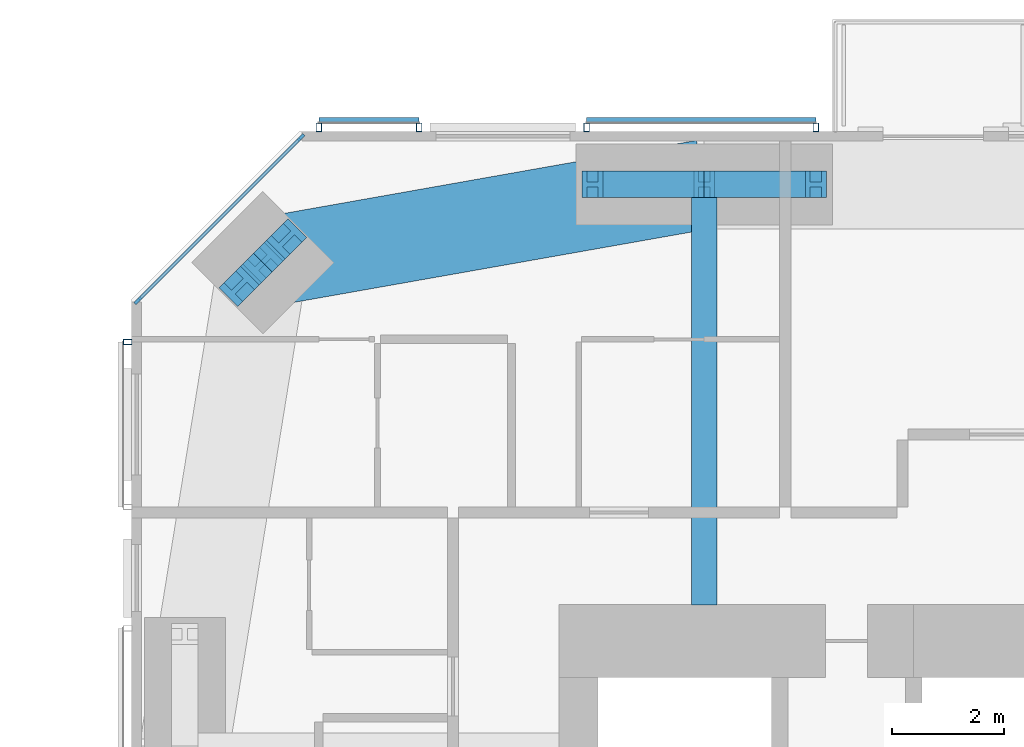
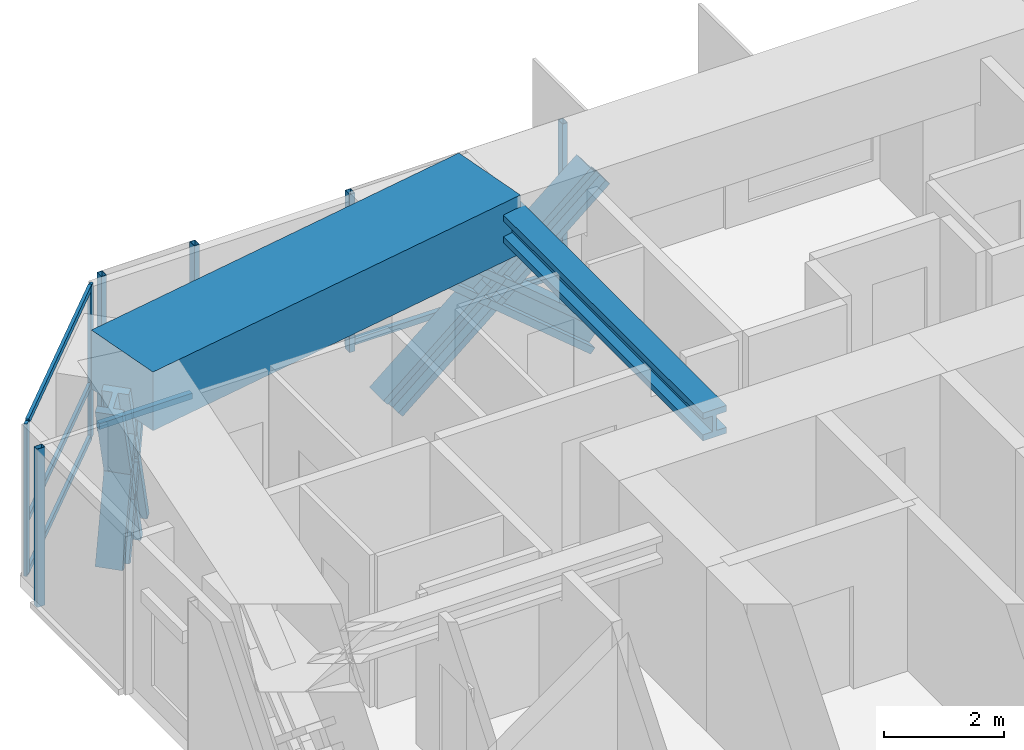
# One storey, part 10 of 23: 20 members, 2 beams, 4 elements without a shape of their own.
"""IFC4 building model written with IfcOpenShell, lengths in metres."""

from ifc_helpers import new_model, si_unit, direction, frame, origin, origin_2d, place, context, subcontext, project, spatial, rectangle, hollow_rectangle, i_section, extrude, material, material_profile, profile_set, type_object, element, aggregate, save


model = new_model("IFC4")

# Units and contexts
model_context = context("Model", 3, precision=1e-05, world=origin(), true_north=direction((0.0, 1.0)))
body_context = subcontext(model_context, "Body", "Model", "MODEL_VIEW")
ifc_project = project(units=[si_unit("LENGTHUNIT", "METRE"), si_unit("AREAUNIT", "SQUARE_METRE"), si_unit("VOLUMEUNIT", "CUBIC_METRE"), si_unit("PLANEANGLEUNIT", "RADIAN"), si_unit("MASSUNIT", "GRAM", prefix="KILO")], contexts=[model_context])

# Site, building, storey
site_placement = place(None, origin())
site = spatial("IfcSite", under=ifc_project, at=site_placement, CompositionType="ELEMENT")
building_placement = place(site_placement, origin())
building = spatial("IfcBuilding", under=site, at=building_placement, Name="Jalousie Tower", CompositionType="ELEMENT")
storey_placement = place(building_placement, frame((0.0, 0.0, 171.10009765625)))
storey = spatial("IfcBuildingStorey", under=building, at=storey_placement, Name="L46", CompositionType="ELEMENT", Elevation=171.10009765625)

# Curtain wall, members
ifc_material_1 = material(Name="Aluminium curtain wall", Category="aluminium")
curtain_wall_type_1 = type_object("IfcCurtainWallType", Name="CORNER WINDOW WALL", PredefinedType="USERDEFINED", material=ifc_material_1)
curtain_wall_1_placement = place(storey_placement, origin())
curtain_wall_1 = element("IfcCurtainWall", 1, at=curtain_wall_1_placement, inside=storey, type_object=curtain_wall_type_1, Name="Corner Window Wall L46 6", ObjectType="CORNER WINDOW WALL", PredefinedType="USERDEFINED")
ifc_material_2 = material(Name="Aluminium mullion", Category="aluminium")
ifc_material_profile_1 = material_profile(ifc_material_2, rectangle(XDim=0.06005859375, YDim=0.14990234375, at=origin_2d()), Name="MULLION 60x150")
ifc_profile_set_1 = profile_set([ifc_material_profile_1], Name="Aluminium mullion")
member_type_1 = type_object("IfcMemberType", Name="CORNER WINDOW WALL MULLION", PredefinedType="MULLION", material=ifc_profile_set_1)
member_1_placement = place(storey_placement, frame((15.030029296875, 35.891357421875, 0.0), z_axis=(0.0, 0.0, 1.0), x_axis=(0.707106781187, -0.707106781187, 0.0)))
member_1 = element("IfcMember", 2, at=member_1_placement, type_object=member_type_1, Name="CW-C mullion 1", PredefinedType="MULLION", context=body_context, shape_type="SweptSolid", body=[
    extrude(rectangle(XDim=0.06005859375, YDim=0.14990234375, at=origin_2d()), origin(), (0.0, 0.0, 1.0), 3.10986328125),
])
member_2_placement = place(storey_placement, frame((12.108642578125, 32.969970703125, 0.0), z_axis=(0.0, 0.0, 1.0), x_axis=(0.707106781187, -0.707106781187, 0.0)))
member_2 = element("IfcMember", 3, at=member_2_placement, type_object=member_type_1, Name="CW-C mullion 2", PredefinedType="MULLION", context=body_context, shape_type="SweptSolid", body=[
    extrude(rectangle(XDim=0.06005859375, YDim=0.14990234375, at=origin_2d()), origin(), (0.0, 0.0, 1.0), 3.10986328125),
])
ifc_material_3 = material(Name="Aluminium transom", Category="aluminium")
ifc_material_profile_2 = material_profile(ifc_material_3, rectangle(XDim=0.06005859375, YDim=0.1201171875, at=origin_2d()), Name="TRANSOM 60x120")
ifc_profile_set_2 = profile_set([ifc_material_profile_2], Name="Aluminium transom")
member_type_2 = type_object("IfcMemberType", Name="CORNER WINDOW WALL TRANSOM", PredefinedType="USERDEFINED", material=ifc_profile_set_2)
member_3_placement = place(storey_placement, frame((15.0087890625, 35.8701171875, 0.02978515625), z_axis=(-0.707106781187, -0.707106781187, 0.0), x_axis=(0.707106781187, -0.707106781187, 0.0)))
member_3 = element("IfcMember", 4, at=member_3_placement, type_object=member_type_2, Name="CW-C transom 1.1", ObjectType="TRANSOM", PredefinedType="USERDEFINED", context=body_context, shape_type="SweptSolid", body=[
    extrude(rectangle(XDim=0.06005859375, YDim=0.1201171875, at=origin_2d()), origin(), (0.0, 0.0, 1.0), 4.0712890625),
])
member_4_placement = place(storey_placement, frame((15.0087890625, 35.8701171875, 1.099853515625), z_axis=(-0.707106781187, -0.707106781187, 0.0), x_axis=(0.707106781187, -0.707106781187, 0.0)))
member_4 = element("IfcMember", 5, at=member_4_placement, type_object=member_type_2, Name="CW-C transom 1.2", ObjectType="TRANSOM", PredefinedType="USERDEFINED", context=body_context, shape_type="SweptSolid", body=[
    extrude(rectangle(XDim=0.06005859375, YDim=0.1201171875, at=origin_2d()), origin(), (0.0, 0.0, 1.0), 4.0712890625),
])
member_5_placement = place(storey_placement, frame((15.0087890625, 35.8701171875, 3.079833984375), z_axis=(-0.707106781187, -0.707106781187, 0.0), x_axis=(0.707106781187, -0.707106781187, 0.0)))
member_5 = element("IfcMember", 6, at=member_5_placement, type_object=member_type_2, Name="CW-C transom 1.3", ObjectType="TRANSOM", PredefinedType="USERDEFINED", context=body_context, shape_type="SweptSolid", body=[
    extrude(rectangle(XDim=0.06005859375, YDim=0.1201171875, at=origin_2d()), origin(), (0.0, 0.0, 1.0), 4.0712890625),
])
aggregate(curtain_wall_1, [member_1, member_2, member_3, member_4, member_5])

# Beam
ifc_material_4 = material(Name="Steel ASTM A992 Grade 50", Category="steel")
ifc_material_profile_3 = material_profile(ifc_material_4, i_section(OverallWidth=0.45458984375, OverallDepth=0.569091796875, WebThickness=0.077880859375, FlangeThickness=0.124755859375, at=origin_2d()), Name="W14X730")
ifc_profile_set_3 = profile_set([ifc_material_profile_3], Name="Steel ASTM A992 Grade 50")
beam_type_1 = type_object("IfcBeamType", Name="LEAN COLLECTOR W14X730", PredefinedType="BEAM", material=ifc_profile_set_3)
beam_1_placement = place(storey_placement, frame((22.25, 35.050048828125, 2.825439453125), z_axis=(0.0, -1.0, 0.0), x_axis=(1.0, 0.0, 0.0)))
element("IfcBeam", 7, at=beam_1_placement, inside=storey, type_object=beam_type_1, Name="Lean collector under L47", PredefinedType="BEAM", context=body_context, shape_type="SweptSolid", body=[
    extrude(i_section(OverallWidth=0.45458984375, OverallDepth=0.569091796875, WebThickness=0.077880859375, FlangeThickness=0.124755859375, at=origin_2d()), origin(), (0.0, 0.0, 1.0), 7.525146484375),
])

# Members
ifc_material_5 = material(Name="Steel ASTM A992 Grade 50", Category="steel")
ifc_material_profile_4 = material_profile(ifc_material_5, i_section(OverallWidth=0.472412109375, OverallDepth=0.5791015625, WebThickness=0.094970703125, FlangeThickness=0.1298828125, at=origin_2d()), Name="W14X808")
ifc_profile_set_4 = profile_set([ifc_material_profile_4], Name="Steel ASTM A992 Grade 50")
member_type_3 = type_object("IfcMemberType", Name="PERIMETER BRACE W14X808", PredefinedType="BRACE", material=ifc_profile_set_4)
for number, where, z_axis, x_axis, name in (
    (8, (20.25, 35.050048828125, -0.60009765625), (0.766638753323, 0.0, 0.642078672674), (0.0, 1.0, 0.0), "Perimeter brace 11 L46 part 1"),
    (9, (22.25, 35.050048828125, 1.074951171875), (0.766638753323, 0.0, 0.642078672674), (0.0, 1.0, 0.0), "Perimeter brace 11 L46 part 2"),
    (10, (24.25, 35.050048828125, -0.60009765625), (-0.766638753323, 0.0, 0.642078672674), (0.0, -1.0, 0.0), "Perimeter brace 11 L46 part 3"),
    (11, (22.25, 35.050048828125, 1.074951171875), (-0.766638753323, 0.0, 0.642078672674), (0.0, -1.0, 0.0), "Perimeter brace 11 L46 part 4"),
):
    element("IfcMember", number, at=place(storey_placement, frame(where, z_axis=z_axis, x_axis=x_axis)), inside=storey, type_object=member_type_3, Name=name, PredefinedType="BRACE", context=body_context, shape_type="SweptSolid", body=[
        extrude(i_section(OverallWidth=0.472412109375, OverallDepth=0.5791015625, WebThickness=0.094970703125, FlangeThickness=0.1298828125, at=origin_2d()), origin(), (0.0, 0.0, 1.0), 2.60888671875),
    ])
for number, where, z_axis, x_axis, name in (
    (12, (14.772705078125, 34.07568359375, -0.60009765625), (-0.238482757655, -0.238345540878, 0.941444303953), (0.706903267951, -0.707310235866, 0.0), "Perimeter brace 12 L46 part 1"),
    (13, (14.348388671875, 33.651611328125, 1.074951171875), (-0.238345540878, -0.238482757655, 0.941444303953), (0.707310235866, -0.706903267951, 0.0), "Perimeter brace 12 L46 part 2"),
    (14, (13.92431640625, 33.227294921875, -0.60009765625), (0.238345540878, 0.238482757655, 0.941444303953), (-0.707310235866, 0.706903267951, 0.0), "Perimeter brace 12 L46 part 3"),
    (15, (14.348388671875, 33.651611328125, 1.074951171875), (0.238482757655, 0.238345540878, 0.941444303953), (-0.706903267951, 0.707310235866, 0.0), "Perimeter brace 12 L46 part 4"),
):
    element("IfcMember", number, at=place(storey_placement, frame(where, z_axis=z_axis, x_axis=x_axis)), inside=storey, type_object=member_type_3, Name=name, PredefinedType="BRACE", context=body_context, shape_type="SweptSolid", body=[
        extrude(i_section(OverallWidth=0.472412109375, OverallDepth=0.5791015625, WebThickness=0.094970703125, FlangeThickness=0.1298828125, at=origin_2d()), origin(), (0.0, 0.0, 1.0), 1.779296875),
    ])

# Beam
ifc_material_6 = material(Name="Concrete f'c 40 MPa", Category="concrete")
ifc_material_profile_5 = material_profile(ifc_material_6, rectangle(XDim=1.60009765625, YDim=1.199951171875, at=origin_2d()), Name="RC 1600x1200")
ifc_profile_set_5 = profile_set([ifc_material_profile_5], Name="Concrete f'c 40 MPa")
beam_type_2 = type_object("IfcBeamType", Name="RC BEAM 1600x1200", PredefinedType="BEAM", material=ifc_profile_set_5)
beam_2_placement = place(storey_placement, frame((22.25, 35.050048828125, 2.75), z_axis=(-0.984697370688, -0.174273027632, 0.0), x_axis=(0.174273027632, -0.984697370688, 0.0)))
element("IfcBeam", 16, at=beam_2_placement, inside=storey, type_object=beam_type_2, Name="Edge band beam 11-12 under L47", PredefinedType="BEAM", context=body_context, shape_type="SweptSolid", body=[
    extrude(rectangle(XDim=1.60009765625, YDim=1.199951171875, at=origin_2d()), origin(), (0.0, 0.0, 1.0), 8.0244140625),
])

# Curtain wall, members
ifc_material_7 = material(Name="Perforated aluminium sheet", Category="aluminium")
curtain_wall_type_2 = type_object("IfcCurtainWallType", Name="SOLAR SCREEN SS-1", PredefinedType="USERDEFINED", material=ifc_material_7)
curtain_wall_2_placement = place(storey_placement, origin())
curtain_wall_2 = element("IfcCurtainWall", 17, at=curtain_wall_2_placement, inside=storey, type_object=curtain_wall_type_2, Name="Solar screen L46", ObjectType="SOLAR SCREEN SS-1", PredefinedType="USERDEFINED")
ifc_material_8 = material(Name="Steel ASTM A500 Grade C", Category="steel")
ifc_material_profile_6 = material_profile(ifc_material_8, hollow_rectangle(XDim=0.1015625, YDim=0.15234375, WallThickness=0.00634765625, at=origin_2d()), Name="HSS6X4X1/4")
ifc_profile_set_6 = profile_set([ifc_material_profile_6], Name="Steel ASTM A500 Grade C")
member_type_4 = type_object("IfcMemberType", Name="SOLAR SCREEN SS-1 MULLION", PredefinedType="MULLION", material=ifc_profile_set_6)
member_6_placement = place(storey_placement, frame((24.25, 36.0712890625, -0.1201171875), z_axis=(0.0, 0.0, 1.0), x_axis=(-1.0, 0.0, 0.0)))
member_6 = element("IfcMember", 18, at=member_6_placement, type_object=member_type_4, Name="SS1 post 1", PredefinedType="MULLION", context=body_context, shape_type="SweptSolid", body=[
    extrude(hollow_rectangle(XDim=0.1015625, YDim=0.15234375, WallThickness=0.00634765625, at=origin_2d()), origin(), (0.0, 0.0, 1.0), 3.22998046875),
])
member_7_placement = place(storey_placement, frame((20.14453125, 36.0712890625, -0.1201171875), z_axis=(0.0, 0.0, 1.0), x_axis=(-1.0, 0.0, 0.0)))
member_7 = element("IfcMember", 19, at=member_7_placement, type_object=member_type_4, Name="SS1 post 2", PredefinedType="MULLION", context=body_context, shape_type="SweptSolid", body=[
    extrude(hollow_rectangle(XDim=0.1015625, YDim=0.15234375, WallThickness=0.00634765625, at=origin_2d()), origin(), (0.0, 0.0, 1.0), 3.22998046875),
])

curtain_wall_3_placement = place(storey_placement, origin())
curtain_wall_3 = element("IfcCurtainWall", 20, at=curtain_wall_3_placement, inside=storey, type_object=curtain_wall_type_2, Name="Solar screen L46", ObjectType="SOLAR SCREEN SS-1", PredefinedType="USERDEFINED")
member_8_placement = place(storey_placement, frame((17.14453125, 36.0712890625, -0.1201171875), z_axis=(0.0, 0.0, 1.0), x_axis=(-1.0, 0.0, 0.0)))
member_8 = element("IfcMember", 21, at=member_8_placement, type_object=member_type_4, Name="SS1 post 1", PredefinedType="MULLION", context=body_context, shape_type="SweptSolid", body=[
    extrude(hollow_rectangle(XDim=0.1015625, YDim=0.15234375, WallThickness=0.00634765625, at=origin_2d()), origin(), (0.0, 0.0, 1.0), 3.22998046875),
])
member_9_placement = place(storey_placement, frame((15.351318359375, 36.0712890625, -0.1201171875), z_axis=(0.0, 0.0, 1.0), x_axis=(-1.0, 0.0, 0.0)))
member_9 = element("IfcMember", 22, at=member_9_placement, type_object=member_type_4, Name="SS1 post 2", PredefinedType="MULLION", context=body_context, shape_type="SweptSolid", body=[
    extrude(hollow_rectangle(XDim=0.1015625, YDim=0.15234375, WallThickness=0.00634765625, at=origin_2d()), origin(), (0.0, 0.0, 1.0), 3.22998046875),
])

# Curtain wall, member
curtain_wall_4_placement = place(storey_placement, origin())
curtain_wall_4 = element("IfcCurtainWall", 23, at=curtain_wall_4_placement, inside=storey, type_object=curtain_wall_type_2, Name="Solar screen L46", ObjectType="SOLAR SCREEN SS-1", PredefinedType="USERDEFINED")
member_10_placement = place(storey_placement, frame((11.9287109375, 32.228759765625, -0.1201171875), z_axis=(0.0, 0.0, 1.0), x_axis=(0.0, -1.0, 0.0)))
member_10 = element("IfcMember", 24, at=member_10_placement, type_object=member_type_4, Name="SS1 post 1", PredefinedType="MULLION", context=body_context, shape_type="SweptSolid", body=[
    extrude(hollow_rectangle(XDim=0.1015625, YDim=0.15234375, WallThickness=0.00634765625, at=origin_2d()), origin(), (0.0, 0.0, 1.0), 3.22998046875),
])
aggregate(curtain_wall_4, [member_10])

# Member
ifc_material_9 = material(Name="Extruded aluminium screen rail", Category="aluminium")
ifc_material_profile_7 = material_profile(ifc_material_9, rectangle(XDim=0.1015625, YDim=0.1201171875, at=origin_2d()), Name="RAIL 102x120")
ifc_profile_set_7 = profile_set([ifc_material_profile_7], Name="Extruded aluminium screen rail")
member_type_5 = type_object("IfcMemberType", Name="SOLAR SCREEN SS-1 TRANSOM", PredefinedType="USERDEFINED", material=ifc_profile_set_7)
member_11_placement = place(storey_placement, frame((24.25, 36.1982421875, -0.06005859375), z_axis=(-1.0, 0.0, 0.0), x_axis=(0.0, -1.0, 0.0)))
member_11 = element("IfcMember", 25, at=member_11_placement, type_object=member_type_5, Name="SS1 rail", ObjectType="TRANSOM", PredefinedType="USERDEFINED", context=body_context, shape_type="SweptSolid", body=[
    extrude(rectangle(XDim=0.1015625, YDim=0.1201171875, at=origin_2d()), origin(), (0.0, 0.0, 1.0), 4.10546875),
])

aggregate(curtain_wall_2, [member_6, member_7, member_11])

member_12_placement = place(storey_placement, frame((17.14453125, 36.1982421875, -0.06005859375), z_axis=(-1.0, 0.0, 0.0), x_axis=(0.0, -1.0, 0.0)))
member_12 = element("IfcMember", 26, at=member_12_placement, type_object=member_type_5, Name="SS1 rail", ObjectType="TRANSOM", PredefinedType="USERDEFINED", context=body_context, shape_type="SweptSolid", body=[
    extrude(rectangle(XDim=0.1015625, YDim=0.1201171875, at=origin_2d()), origin(), (0.0, 0.0, 1.0), 1.793212890625),
])

aggregate(curtain_wall_3, [member_8, member_9, member_12])

save(model, "model.ifc")
